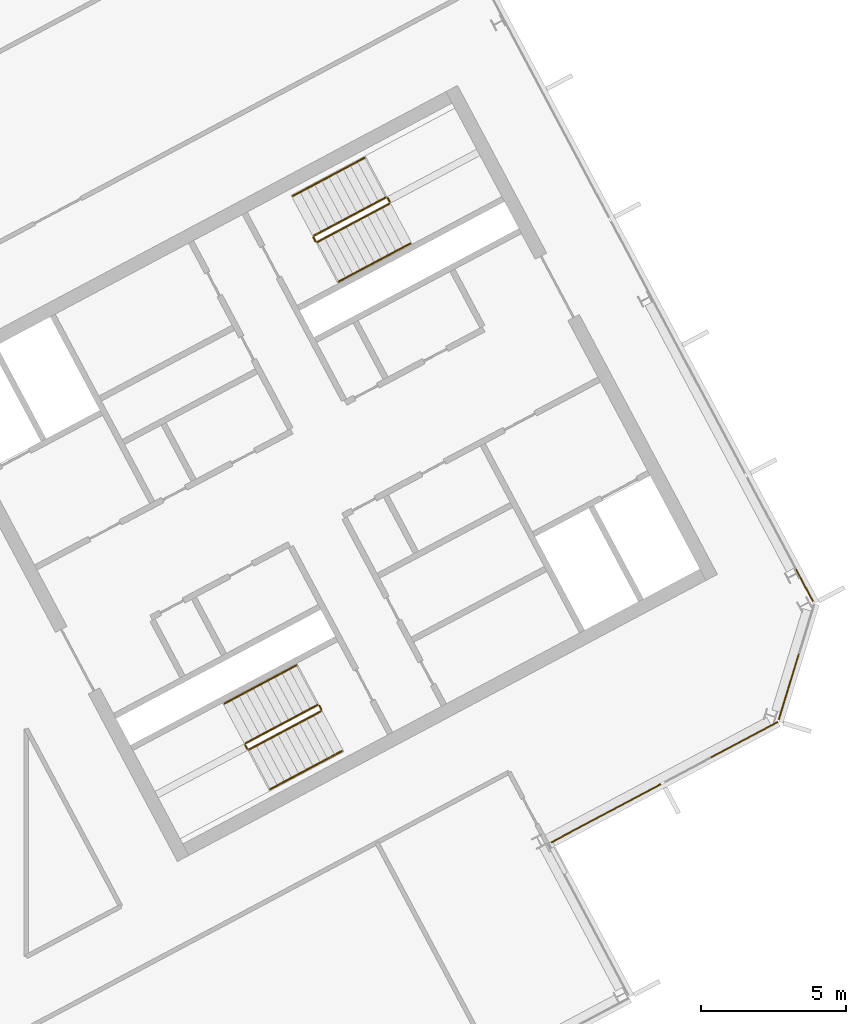
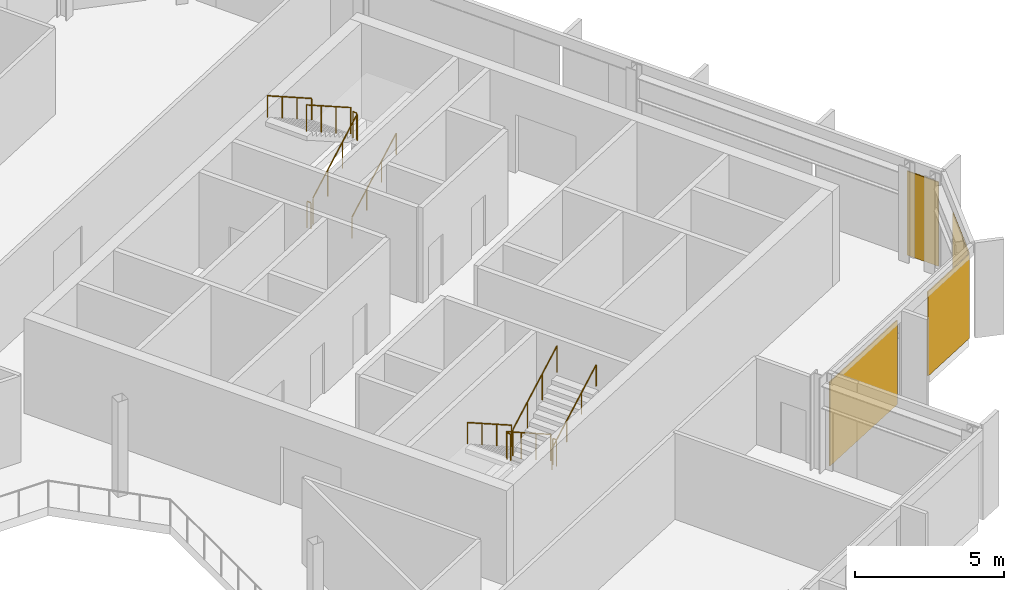
# One storey, part 24 of 25: 12 railings, 4 coverings, 3 elements without a shape of their own.
"""IFC4 building model written with IfcOpenShell, lengths in metres."""

from ifc_helpers import new_model, si_unit, direction, frame, origin, origin_2d, place, context, subcontext, project, spatial, polyline, rectangle, outline, extrude, material, layer, layer_set, type_object, element, aggregate, save


model = new_model("IFC4")

# Units and contexts
model_context = context("Model", 3, precision=1e-05, world=origin(), true_north=direction((0.0, 1.0)))
body_context = subcontext(model_context, "Body", "Model", "MODEL_VIEW")
ifc_project = project(units=[si_unit("LENGTHUNIT", "METRE"), si_unit("AREAUNIT", "SQUARE_METRE"), si_unit("VOLUMEUNIT", "CUBIC_METRE"), si_unit("PLANEANGLEUNIT", "RADIAN"), si_unit("MASSUNIT", "GRAM", prefix="KILO")], contexts=[model_context])

# Site, building, storey
site_placement = place(None, origin())
site = spatial("IfcSite", under=ifc_project, at=site_placement, CompositionType="ELEMENT")
building_placement = place(site_placement, origin())
building = spatial("IfcBuilding", under=site, at=building_placement, Name="Cormorant Relay Tower", CompositionType="ELEMENT")
storey_placement = place(building_placement, frame((0.0, 0.0, 281.39990234375)))
storey = spatial("IfcBuildingStorey", under=building, at=storey_placement, Name="L63", CompositionType="ELEMENT", Elevation=281.39990234375)

# Curtain wall, coverings
ifc_material_1 = material(Name="Aluminium 6063-T6 anodised bronze", Category="aluminium")
ifc_layer_1 = layer(ifc_material_1, 0.199951171875)
ifc_layer_set_1 = layer_set([ifc_layer_1], Name="CW1 unitised bronze curtain wall with vertical fins")
curtain_wall_type = type_object("IfcCurtainWallType", Name="CW1 unitised bronze curtain wall with vertical fins", PredefinedType="NOTDEFINED", material=ifc_layer_set_1)
curtain_wall_1_placement = place(storey_placement, origin())
curtain_wall_1 = element("IfcCurtainWall", 1, at=curtain_wall_1_placement, inside=storey, type_object=curtain_wall_type, Name="CW1 curtain wall 4", PredefinedType="NOTDEFINED")
ifc_material_2 = material(Name="Pale bronze anodised aluminium insulated panel", Category="aluminium")
ifc_layer_2 = layer(ifc_material_2, 0.0400390625)
ifc_layer_set_2 = layer_set([ifc_layer_2], Name="CW1 pale bronze insulated panel 40")
covering_type = type_object("IfcCoveringType", Name="CW1 pale bronze insulated panel 40", PredefinedType="CLADDING", material=ifc_layer_set_2)
covering_1_placement = place(storey_placement, frame((33.793701171875, 0.957275390625, 0.0), z_axis=(0.0, 0.0, 1.0), x_axis=(0.882947592859, 0.469471562786, 0.0)))
covering_1 = element("IfcCovering", 2, at=covering_1_placement, type_object=covering_type, Name="CW1 panel S00", PredefinedType="CLADDING", context=body_context, shape_type="SweptSolid", body=[
    extrude(rectangle(XDim=4.27490234375, YDim=0.0400390625, at=origin_2d()), origin(), (0.0, 0.0, 1.0), 3.449951171875),
])
covering_2_placement = place(storey_placement, frame((38.561767578125, 3.492431640625, 0.0), z_axis=(0.0, 0.0, 1.0), x_axis=(0.882947592859, 0.469471562786, 0.0)))
covering_2 = element("IfcCovering", 3, at=covering_2_placement, type_object=covering_type, Name="CW1 panel S02", PredefinedType="CLADDING", context=body_context, shape_type="SweptSolid", body=[
    extrude(rectangle(XDim=2.625, YDim=0.0400390625, at=origin_2d()), origin(), (0.0, 0.0, 1.0), 3.449951171875),
])
aggregate(curtain_wall_1, [covering_1, covering_2])

# Curtain wall, covering
curtain_wall_2_placement = place(storey_placement, origin())
curtain_wall_2 = element("IfcCurtainWall", 4, at=curtain_wall_2_placement, inside=storey, type_object=curtain_wall_type, Name="CW1 curtain wall 5", PredefinedType="NOTDEFINED")
covering_3_placement = place(storey_placement, frame((40.098388671875, 5.32421875, 0.0), z_axis=(0.0, 0.0, 1.0), x_axis=(0.292371704723, 0.956304755963, 0.0)))
covering_3 = element("IfcCovering", 5, at=covering_3_placement, type_object=covering_type, Name="CW1 panel S00", PredefinedType="CLADDING", context=body_context, shape_type="SweptSolid", body=[
    extrude(rectangle(XDim=2.36767578125, YDim=0.0400390625, at=origin_2d()), origin(), (0.0, 0.0, 1.0), 3.449951171875),
])
aggregate(curtain_wall_2, [covering_3])

curtain_wall_3_placement = place(storey_placement, origin())
curtain_wall_3 = element("IfcCurtainWall", 6, at=curtain_wall_3_placement, inside=storey, type_object=curtain_wall_type, Name="CW1 curtain wall 6", PredefinedType="NOTDEFINED")
covering_4_placement = place(storey_placement, frame((40.640625, 8.810791015625, 0.0), z_axis=(0.0, 0.0, 1.0), x_axis=(-0.469471562786, 0.882947592859, 0.0)))
covering_4 = element("IfcCovering", 7, at=covering_4_placement, type_object=covering_type, Name="CW1 panel S00", PredefinedType="CLADDING", context=body_context, shape_type="SweptSolid", body=[
    extrude(rectangle(XDim=1.25, YDim=0.0400390625, at=origin_2d()), origin(), (0.0, 0.0, 1.0), 3.449951171875),
])
aggregate(curtain_wall_3, [covering_4])

# Railings
ifc_material_3 = material(Name="Steel ASTM A572 Grade 50 (Fy 345 MPa)", Category="steel")
railing_type_1 = type_object("IfcRailingType", Name="Stair guard 1100", PredefinedType="GUARDRAIL", material=ifc_material_3)
railing_1_placement = place(storey_placement, frame((23.83837890625, 4.6904296875, 0.177490234375)))
element("IfcRailing", 8, at=railing_1_placement, inside=storey, type_object=railing_type_1, Name="L63 B1 stair guard 1", PredefinedType="GUARDRAIL", context=body_context, shape_type="SweptSolid", body=[
    extrude(outline(polyline([(0.022216796875, 0.00927734375), (0.00927734375, 0.022216796875), (-0.00927734375, 0.022216796875), (-0.022216796875, 0.00927734375), (-0.022216796875, -0.00927734375), (-0.00927734375, -0.022216796875), (0.00927734375, -0.022216796875), (0.022216796875, -0.00927734375), (0.022216796875, 0.00927734375)])), frame((0.0, 0.0, 1.076171875), z_axis=(-0.746033882577, -0.396627473466, 0.534901947407), x_axis=(0.469429322983, -0.882970050864, 0.0)), (0.0, 0.0, 1.0), 3.31396484375),
    extrude(outline(polyline([(0.019287109375, 0.008056640625), (0.008056640625, 0.019287109375), (-0.008056640625, 0.019287109375), (-0.019287109375, 0.008056640625), (-0.019287109375, -0.008056640625), (-0.008056640625, -0.019287109375), (0.008056640625, -0.019287109375), (0.019287109375, -0.008056640625), (0.019287109375, 0.008056640625)])), origin(), (0.0, 0.0, 1.0), 1.052001953125),
    extrude(outline(polyline([(0.019287109375, 0.008056640625), (0.008056640625, 0.019287109375), (-0.008056640625, 0.019287109375), (-0.019287109375, 0.008056640625), (-0.019287109375, -0.008056640625), (-0.008056640625, -0.019287109375), (0.008056640625, -0.019287109375), (0.019287109375, -0.008056640625), (0.019287109375, 0.008056640625)])), frame((-0.82421875, -0.438232421875, 0.5908203125)), (0.0, 0.0, 1.0), 1.052001953125),
    extrude(outline(polyline([(0.019287109375, 0.008056640625), (0.008056640625, 0.019287109375), (-0.008056640625, 0.019287109375), (-0.019287109375, 0.008056640625), (-0.019287109375, -0.008056640625), (-0.008056640625, -0.019287109375), (0.008056640625, -0.019287109375), (0.019287109375, -0.008056640625), (0.019287109375, 0.008056640625)])), frame((-1.648193359375, -0.876220703125, 1.181884765625)), (0.0, 0.0, 1.0), 1.052001953125),
    extrude(outline(polyline([(0.019287109375, 0.008056640625), (0.008056640625, 0.019287109375), (-0.008056640625, 0.019287109375), (-0.019287109375, 0.008056640625), (-0.019287109375, -0.008056640625), (-0.008056640625, -0.019287109375), (0.008056640625, -0.019287109375), (0.019287109375, -0.008056640625), (0.019287109375, 0.008056640625)])), frame((-2.472412109375, -1.314453125, 1.772705078125)), (0.0, 0.0, 1.0), 1.052001953125),
])
railing_2_placement = place(storey_placement, frame((21.345458984375, 3.308349609375, 1.9501953125)))
element("IfcRailing", 9, at=railing_2_placement, inside=storey, type_object=railing_type_1, Name="L63 B1 stair guard 2", PredefinedType="GUARDRAIL", context=body_context, shape_type="SweptSolid", body=[
    extrude(outline(polyline([(0.022216796875, 0.00927734375), (0.00927734375, 0.022216796875), (-0.00927734375, 0.022216796875), (-0.022216796875, 0.00927734375), (-0.022216796875, -0.00927734375), (-0.00927734375, -0.022216796875), (0.00927734375, -0.022216796875), (0.022216796875, -0.00927734375), (0.022216796875, 0.00927734375)])), frame((0.0, 0.0, 1.076171875), z_axis=(0.46856034887, -0.8834314911, 0.0), x_axis=(0.8834314911, 0.46856034887, 0.0)), (0.0, 0.0, 1.0), 0.150146484375),
    extrude(outline(polyline([(0.019287109375, 0.008056640625), (0.008056640625, 0.019287109375), (-0.008056640625, 0.019287109375), (-0.019287109375, 0.008056640625), (-0.019287109375, -0.008056640625), (-0.008056640625, -0.019287109375), (0.008056640625, -0.019287109375), (0.019287109375, -0.008056640625), (0.019287109375, 0.008056640625)])), origin(), (0.0, 0.0, 1.0), 1.052001953125),
    extrude(outline(polyline([(0.019287109375, 0.008056640625), (0.008056640625, 0.019287109375), (-0.008056640625, 0.019287109375), (-0.019287109375, 0.008056640625), (-0.019287109375, -0.008056640625), (-0.008056640625, -0.019287109375), (0.008056640625, -0.019287109375), (0.019287109375, -0.008056640625), (0.019287109375, 0.008056640625)])), frame((0.0703125, -0.132568359375, 0.0)), (0.0, 0.0, 1.0), 1.052001953125),
])
railing_3_placement = place(storey_placement, frame((21.4833984375, 3.1552734375, 2.12744140625)))
element("IfcRailing", 10, at=railing_3_placement, inside=storey, type_object=railing_type_1, Name="L63 B1 stair guard 3", PredefinedType="GUARDRAIL", context=body_context, shape_type="SweptSolid", body=[
    extrude(outline(polyline([(0.022216796875, 0.00927734375), (0.00927734375, 0.022216796875), (-0.00927734375, 0.022216796875), (-0.022216796875, 0.00927734375), (-0.022216796875, -0.00927734375), (-0.00927734375, -0.022216796875), (0.00927734375, -0.022216796875), (0.022216796875, -0.00927734375), (0.022216796875, 0.00927734375)])), frame((0.0, 0.0, 1.076171875), z_axis=(0.746001213114, 0.396649272309, 0.534931345884), x_axis=(-0.469465464807, 0.882950835185, 0.0)), (0.0, 0.0, 1.0), 3.31396484375),
    extrude(outline(polyline([(0.019287109375, 0.008056640625), (0.008056640625, 0.019287109375), (-0.008056640625, 0.019287109375), (-0.019287109375, 0.008056640625), (-0.019287109375, -0.008056640625), (-0.008056640625, -0.019287109375), (0.008056640625, -0.019287109375), (0.019287109375, -0.008056640625), (0.019287109375, 0.008056640625)])), origin(), (0.0, 0.0, 1.0), 1.052001953125),
    extrude(outline(polyline([(0.019287109375, 0.008056640625), (0.008056640625, 0.019287109375), (-0.008056640625, 0.019287109375), (-0.019287109375, 0.008056640625), (-0.019287109375, -0.008056640625), (-0.008056640625, -0.019287109375), (0.008056640625, -0.019287109375), (0.019287109375, -0.008056640625), (0.019287109375, 0.008056640625)])), frame((0.823974609375, 0.438232421875, 0.5908203125)), (0.0, 0.0, 1.0), 1.052001953125),
    extrude(outline(polyline([(0.019287109375, 0.008056640625), (0.008056640625, 0.019287109375), (-0.008056640625, 0.019287109375), (-0.019287109375, 0.008056640625), (-0.019287109375, -0.008056640625), (-0.008056640625, -0.019287109375), (0.008056640625, -0.019287109375), (0.019287109375, -0.008056640625), (0.019287109375, 0.008056640625)])), frame((1.648193359375, 0.876220703125, 1.181884765625)), (0.0, 0.0, 1.0), 1.052001953125),
    extrude(outline(polyline([(0.019287109375, 0.008056640625), (0.008056640625, 0.019287109375), (-0.008056640625, 0.019287109375), (-0.019287109375, 0.008056640625), (-0.019287109375, -0.008056640625), (-0.008056640625, -0.019287109375), (0.008056640625, -0.019287109375), (0.019287109375, -0.008056640625), (0.019287109375, 0.008056640625)])), frame((2.47216796875, 1.314453125, 1.772705078125)), (0.0, 0.0, 1.0), 1.052001953125),
])
railing_4_placement = place(storey_placement, frame((23.906005859375, 4.669677734375, 0.0)))
element("IfcRailing", 11, at=railing_4_placement, inside=storey, type_object=railing_type_1, Name="L63 B1 stair guard 4", PredefinedType="GUARDRAIL", context=body_context, shape_type="SweptSolid", body=[
    extrude(outline(polyline([(0.022216796875, 0.00927734375), (0.00927734375, 0.022216796875), (-0.00927734375, 0.022216796875), (-0.022216796875, 0.00927734375), (-0.022216796875, -0.00927734375), (-0.00927734375, -0.022216796875), (0.00927734375, -0.022216796875), (0.022216796875, -0.00927734375), (0.022216796875, 0.00927734375)])), frame((0.0, 0.0, 1.076171875), z_axis=(0.469234640946, -0.883073525669, 0.0), x_axis=(0.883073525669, 0.469234640946, 0.0)), (0.0, 0.0, 1.0), 0.14990234375),
    extrude(outline(polyline([(0.019287109375, 0.008056640625), (0.008056640625, 0.019287109375), (-0.008056640625, 0.019287109375), (-0.019287109375, 0.008056640625), (-0.019287109375, -0.008056640625), (-0.008056640625, -0.019287109375), (0.008056640625, -0.019287109375), (0.019287109375, -0.008056640625), (0.019287109375, 0.008056640625)])), origin(), (0.0, 0.0, 1.0), 1.052001953125),
    extrude(outline(polyline([(0.019287109375, 0.008056640625), (0.008056640625, 0.019287109375), (-0.008056640625, 0.019287109375), (-0.019287109375, 0.008056640625), (-0.019287109375, -0.008056640625), (-0.008056640625, -0.019287109375), (0.008056640625, -0.019287109375), (0.019287109375, -0.008056640625), (0.019287109375, 0.008056640625)])), frame((0.0703125, -0.13232421875, 0.0)), (0.0, 0.0, 1.0), 1.052001953125),
])
railing_5_placement = place(storey_placement, frame((23.8408203125, 20.6611328125, 0.177490234375)))
element("IfcRailing", 12, at=railing_5_placement, inside=storey, type_object=railing_type_1, Name="L63 B2 stair guard 1", PredefinedType="GUARDRAIL", context=body_context, shape_type="SweptSolid", body=[
    extrude(outline(polyline([(0.022216796875, 0.00927734375), (0.00927734375, 0.022216796875), (-0.00927734375, 0.022216796875), (-0.022216796875, 0.00927734375), (-0.022216796875, -0.00927734375), (-0.00927734375, -0.022216796875), (0.00927734375, -0.022216796875), (0.022216796875, -0.00927734375), (0.022216796875, 0.00927734375)])), frame((0.0, 0.0, 1.076171875), z_axis=(0.746033882577, 0.396627473466, 0.534901947407), x_axis=(-0.469429322983, 0.882970050864, 0.0)), (0.0, 0.0, 1.0), 3.31396484375),
    extrude(outline(polyline([(0.019287109375, 0.008056640625), (0.008056640625, 0.019287109375), (-0.008056640625, 0.019287109375), (-0.019287109375, 0.008056640625), (-0.019287109375, -0.008056640625), (-0.008056640625, -0.019287109375), (0.008056640625, -0.019287109375), (0.019287109375, -0.008056640625), (0.019287109375, 0.008056640625)])), origin(), (0.0, 0.0, 1.0), 1.052001953125),
    extrude(outline(polyline([(0.019287109375, 0.008056640625), (0.008056640625, 0.019287109375), (-0.008056640625, 0.019287109375), (-0.019287109375, 0.008056640625), (-0.019287109375, -0.008056640625), (-0.008056640625, -0.019287109375), (0.008056640625, -0.019287109375), (0.019287109375, -0.008056640625), (0.019287109375, 0.008056640625)])), frame((0.82421875, 0.438232421875, 0.5908203125)), (0.0, 0.0, 1.0), 1.052001953125),
    extrude(outline(polyline([(0.019287109375, 0.008056640625), (0.008056640625, 0.019287109375), (-0.008056640625, 0.019287109375), (-0.019287109375, 0.008056640625), (-0.019287109375, -0.008056640625), (-0.008056640625, -0.019287109375), (0.008056640625, -0.019287109375), (0.019287109375, -0.008056640625), (0.019287109375, 0.008056640625)])), frame((1.648193359375, 0.876220703125, 1.181884765625)), (0.0, 0.0, 1.0), 1.052001953125),
    extrude(outline(polyline([(0.019287109375, 0.008056640625), (0.008056640625, 0.019287109375), (-0.008056640625, 0.019287109375), (-0.019287109375, 0.008056640625), (-0.019287109375, -0.008056640625), (-0.008056640625, -0.019287109375), (0.008056640625, -0.019287109375), (0.019287109375, -0.008056640625), (0.019287109375, 0.008056640625)])), frame((2.472412109375, 1.314453125, 1.772705078125)), (0.0, 0.0, 1.0), 1.052001953125),
])
railing_6_placement = place(storey_placement, frame((26.333740234375, 22.043212890625, 1.9501953125)))
element("IfcRailing", 13, at=railing_6_placement, inside=storey, type_object=railing_type_1, Name="L63 B2 stair guard 2", PredefinedType="GUARDRAIL", context=body_context, shape_type="SweptSolid", body=[
    extrude(outline(polyline([(0.022216796875, 0.00927734375), (0.00927734375, 0.022216796875), (-0.00927734375, 0.022216796875), (-0.022216796875, 0.00927734375), (-0.022216796875, -0.00927734375), (-0.00927734375, -0.022216796875), (0.00927734375, -0.022216796875), (0.022216796875, -0.00927734375), (0.022216796875, 0.00927734375)])), frame((0.0, 0.0, 1.076171875), z_axis=(-0.469234640946, 0.883073525669, 0.0), x_axis=(-0.883073525669, -0.469234640946, 0.0)), (0.0, 0.0, 1.0), 0.14990234375),
    extrude(outline(polyline([(0.019287109375, 0.008056640625), (0.008056640625, 0.019287109375), (-0.008056640625, 0.019287109375), (-0.019287109375, 0.008056640625), (-0.019287109375, -0.008056640625), (-0.008056640625, -0.019287109375), (0.008056640625, -0.019287109375), (0.019287109375, -0.008056640625), (0.019287109375, 0.008056640625)])), origin(), (0.0, 0.0, 1.0), 1.052001953125),
    extrude(outline(polyline([(0.019287109375, 0.008056640625), (0.008056640625, 0.019287109375), (-0.008056640625, 0.019287109375), (-0.019287109375, 0.008056640625), (-0.019287109375, -0.008056640625), (-0.008056640625, -0.019287109375), (0.008056640625, -0.019287109375), (0.019287109375, -0.008056640625), (0.019287109375, 0.008056640625)])), frame((-0.0703125, 0.13232421875, 0.0)), (0.0, 0.0, 1.0), 1.052001953125),
])
railing_7_placement = place(storey_placement, frame((26.19580078125, 22.1962890625, 2.12744140625)))
element("IfcRailing", 14, at=railing_7_placement, inside=storey, type_object=railing_type_1, Name="L63 B2 stair guard 3", PredefinedType="GUARDRAIL", context=body_context, shape_type="SweptSolid", body=[
    extrude(outline(polyline([(0.022216796875, 0.00927734375), (0.00927734375, 0.022216796875), (-0.00927734375, 0.022216796875), (-0.022216796875, 0.00927734375), (-0.022216796875, -0.00927734375), (-0.00927734375, -0.022216796875), (0.00927734375, -0.022216796875), (0.022216796875, -0.00927734375), (0.022216796875, 0.00927734375)])), frame((0.0, 0.0, 1.076171875), z_axis=(-0.746033882577, -0.396627473466, 0.534901947407), x_axis=(0.469429322983, -0.882970050864, 0.0)), (0.0, 0.0, 1.0), 3.31396484375),
    extrude(outline(polyline([(0.019287109375, 0.008056640625), (0.008056640625, 0.019287109375), (-0.008056640625, 0.019287109375), (-0.019287109375, 0.008056640625), (-0.019287109375, -0.008056640625), (-0.008056640625, -0.019287109375), (0.008056640625, -0.019287109375), (0.019287109375, -0.008056640625), (0.019287109375, 0.008056640625)])), origin(), (0.0, 0.0, 1.0), 1.052001953125),
    extrude(outline(polyline([(0.019287109375, 0.008056640625), (0.008056640625, 0.019287109375), (-0.008056640625, 0.019287109375), (-0.019287109375, 0.008056640625), (-0.019287109375, -0.008056640625), (-0.008056640625, -0.019287109375), (0.008056640625, -0.019287109375), (0.019287109375, -0.008056640625), (0.019287109375, 0.008056640625)])), frame((-0.82421875, -0.438232421875, 0.5908203125)), (0.0, 0.0, 1.0), 1.052001953125),
    extrude(outline(polyline([(0.019287109375, 0.008056640625), (0.008056640625, 0.019287109375), (-0.008056640625, 0.019287109375), (-0.019287109375, 0.008056640625), (-0.019287109375, -0.008056640625), (-0.008056640625, -0.019287109375), (0.008056640625, -0.019287109375), (0.019287109375, -0.008056640625), (0.019287109375, 0.008056640625)])), frame((-1.648193359375, -0.876220703125, 1.181884765625)), (0.0, 0.0, 1.0), 1.052001953125),
    extrude(outline(polyline([(0.019287109375, 0.008056640625), (0.008056640625, 0.019287109375), (-0.008056640625, 0.019287109375), (-0.019287109375, 0.008056640625), (-0.019287109375, -0.008056640625), (-0.008056640625, -0.019287109375), (0.008056640625, -0.019287109375), (0.019287109375, -0.008056640625), (0.019287109375, 0.008056640625)])), frame((-2.472412109375, -1.314453125, 1.772705078125)), (0.0, 0.0, 1.0), 1.052001953125),
])
railing_8_placement = place(storey_placement, frame((23.773193359375, 20.681640625, 0.0)))
element("IfcRailing", 15, at=railing_8_placement, inside=storey, type_object=railing_type_1, Name="L63 B2 stair guard 4", PredefinedType="GUARDRAIL", context=body_context, shape_type="SweptSolid", body=[
    extrude(outline(polyline([(0.022216796875, 0.00927734375), (0.00927734375, 0.022216796875), (-0.00927734375, 0.022216796875), (-0.022216796875, 0.00927734375), (-0.022216796875, -0.00927734375), (-0.00927734375, -0.022216796875), (0.00927734375, -0.022216796875), (0.022216796875, -0.00927734375), (0.022216796875, 0.00927734375)])), frame((0.0, 0.0, 1.076171875), z_axis=(-0.46856034887, 0.8834314911, 0.0), x_axis=(-0.8834314911, -0.46856034887, 0.0)), (0.0, 0.0, 1.0), 0.150146484375),
    extrude(outline(polyline([(0.019287109375, 0.008056640625), (0.008056640625, 0.019287109375), (-0.008056640625, 0.019287109375), (-0.019287109375, 0.008056640625), (-0.019287109375, -0.008056640625), (-0.008056640625, -0.019287109375), (0.008056640625, -0.019287109375), (0.019287109375, -0.008056640625), (0.019287109375, 0.008056640625)])), origin(), (0.0, 0.0, 1.0), 1.052001953125),
    extrude(outline(polyline([(0.019287109375, 0.008056640625), (0.008056640625, 0.019287109375), (-0.008056640625, 0.019287109375), (-0.019287109375, 0.008056640625), (-0.019287109375, -0.008056640625), (-0.008056640625, -0.019287109375), (0.008056640625, -0.019287109375), (0.019287109375, -0.008056640625), (0.019287109375, 0.008056640625)])), frame((-0.0703125, 0.132568359375, 0.0)), (0.0, 0.0, 1.0), 1.052001953125),
])
ifc_material_4 = material(Name="Steel ASTM A572 Grade 50 (Fy 345 MPa)", Category="steel")
railing_type_2 = type_object("IfcRailingType", Name="Stair handrail 900", PredefinedType="HANDRAIL", material=ifc_material_4)
railing_9_placement = place(storey_placement, frame((23.110595703125, 6.05908203125, 0.177490234375)))
element("IfcRailing", 16, at=railing_9_placement, inside=storey, type_object=railing_type_2, Name="L63 B1 stair handrail 1", PredefinedType="HANDRAIL", context=body_context, shape_type="SweptSolid", body=[
    extrude(outline(polyline([(0.022216796875, 0.00927734375), (0.00927734375, 0.022216796875), (-0.00927734375, 0.022216796875), (-0.022216796875, 0.00927734375), (-0.022216796875, -0.00927734375), (-0.00927734375, -0.022216796875), (0.00927734375, -0.022216796875), (0.022216796875, -0.00927734375), (0.022216796875, 0.00927734375)])), frame((0.0, 0.0, 0.8759765625), z_axis=(-0.745979412481, -0.396711350603, 0.534915713414), x_axis=(0.469533439143, -0.882914689835, 0.0)), (0.0, 0.0, 1.0), 3.31396484375),
    extrude(outline(polyline([(0.019287109375, 0.008056640625), (0.008056640625, 0.019287109375), (-0.008056640625, 0.019287109375), (-0.019287109375, 0.008056640625), (-0.019287109375, -0.008056640625), (-0.008056640625, -0.019287109375), (0.008056640625, -0.019287109375), (0.019287109375, -0.008056640625), (0.019287109375, 0.008056640625)])), origin(), (0.0, 0.0, 1.0), 0.851806640625),
    extrude(outline(polyline([(0.019287109375, 0.008056640625), (0.008056640625, 0.019287109375), (-0.008056640625, 0.019287109375), (-0.019287109375, 0.008056640625), (-0.019287109375, -0.008056640625), (-0.008056640625, -0.019287109375), (0.008056640625, -0.019287109375), (0.019287109375, -0.008056640625), (0.019287109375, 0.008056640625)])), frame((-0.823974609375, -0.438232421875, 0.5908203125)), (0.0, 0.0, 1.0), 0.851806640625),
    extrude(outline(polyline([(0.019287109375, 0.008056640625), (0.008056640625, 0.019287109375), (-0.008056640625, 0.019287109375), (-0.019287109375, 0.008056640625), (-0.019287109375, -0.008056640625), (-0.008056640625, -0.019287109375), (0.008056640625, -0.019287109375), (0.019287109375, -0.008056640625), (0.019287109375, 0.008056640625)])), frame((-1.648193359375, -0.87646484375, 1.181884765625)), (0.0, 0.0, 1.0), 0.851806640625),
    extrude(outline(polyline([(0.019287109375, 0.008056640625), (0.008056640625, 0.019287109375), (-0.008056640625, 0.019287109375), (-0.019287109375, 0.008056640625), (-0.019287109375, -0.008056640625), (-0.008056640625, -0.019287109375), (0.008056640625, -0.019287109375), (0.019287109375, -0.008056640625), (0.019287109375, 0.008056640625)])), frame((-2.47216796875, -1.314697265625, 1.772705078125)), (0.0, 0.0, 1.0), 0.851806640625),
])
railing_10_placement = place(storey_placement, frame((22.211181640625, 1.78662109375, 2.12744140625)))
element("IfcRailing", 17, at=railing_10_placement, inside=storey, type_object=railing_type_2, Name="L63 B1 stair handrail 2", PredefinedType="HANDRAIL", context=body_context, shape_type="SweptSolid", body=[
    extrude(outline(polyline([(0.022216796875, 0.00927734375), (0.00927734375, 0.022216796875), (-0.00927734375, 0.022216796875), (-0.022216796875, 0.00927734375), (-0.022216796875, -0.00927734375), (-0.00927734375, -0.022216796875), (0.00927734375, -0.022216796875), (0.022216796875, -0.00927734375), (0.022216796875, 0.00927734375)])), frame((0.0, 0.0, 0.8759765625), z_axis=(0.746001213114, 0.396649272309, 0.534931345884), x_axis=(-0.469465464807, 0.882950835185, 0.0)), (0.0, 0.0, 1.0), 3.31396484375),
    extrude(outline(polyline([(0.019287109375, 0.008056640625), (0.008056640625, 0.019287109375), (-0.008056640625, 0.019287109375), (-0.019287109375, 0.008056640625), (-0.019287109375, -0.008056640625), (-0.008056640625, -0.019287109375), (0.008056640625, -0.019287109375), (0.019287109375, -0.008056640625), (0.019287109375, 0.008056640625)])), origin(), (0.0, 0.0, 1.0), 0.851806640625),
    extrude(outline(polyline([(0.019287109375, 0.008056640625), (0.008056640625, 0.019287109375), (-0.008056640625, 0.019287109375), (-0.019287109375, 0.008056640625), (-0.019287109375, -0.008056640625), (-0.008056640625, -0.019287109375), (0.008056640625, -0.019287109375), (0.019287109375, -0.008056640625), (0.019287109375, 0.008056640625)])), frame((0.823974609375, 0.438232421875, 0.5908203125)), (0.0, 0.0, 1.0), 0.851806640625),
    extrude(outline(polyline([(0.019287109375, 0.008056640625), (0.008056640625, 0.019287109375), (-0.008056640625, 0.019287109375), (-0.019287109375, 0.008056640625), (-0.019287109375, -0.008056640625), (-0.008056640625, -0.019287109375), (0.008056640625, -0.019287109375), (0.019287109375, -0.008056640625), (0.019287109375, 0.008056640625)])), frame((1.648193359375, 0.876220703125, 1.181884765625)), (0.0, 0.0, 1.0), 0.851806640625),
    extrude(outline(polyline([(0.019287109375, 0.008056640625), (0.008056640625, 0.019287109375), (-0.008056640625, 0.019287109375), (-0.019287109375, 0.008056640625), (-0.019287109375, -0.008056640625), (-0.008056640625, -0.019287109375), (0.008056640625, -0.019287109375), (0.019287109375, -0.008056640625), (0.019287109375, 0.008056640625)])), frame((2.47216796875, 1.314453125, 1.772705078125)), (0.0, 0.0, 1.0), 0.851806640625),
])
railing_11_placement = place(storey_placement, frame((24.568603515625, 19.29248046875, 0.177490234375)))
element("IfcRailing", 18, at=railing_11_placement, inside=storey, type_object=railing_type_2, Name="L63 B2 stair handrail 1", PredefinedType="HANDRAIL", context=body_context, shape_type="SweptSolid", body=[
    extrude(outline(polyline([(0.022216796875, 0.00927734375), (0.00927734375, 0.022216796875), (-0.00927734375, 0.022216796875), (-0.022216796875, 0.00927734375), (-0.022216796875, -0.00927734375), (-0.00927734375, -0.022216796875), (0.00927734375, -0.022216796875), (0.022216796875, -0.00927734375), (0.022216796875, 0.00927734375)])), frame((0.0, 0.0, 0.8759765625), z_axis=(0.746001213114, 0.396649272309, 0.534931345884), x_axis=(-0.469465464807, 0.882950835185, 0.0)), (0.0, 0.0, 1.0), 3.31396484375),
    extrude(outline(polyline([(0.019287109375, 0.008056640625), (0.008056640625, 0.019287109375), (-0.008056640625, 0.019287109375), (-0.019287109375, 0.008056640625), (-0.019287109375, -0.008056640625), (-0.008056640625, -0.019287109375), (0.008056640625, -0.019287109375), (0.019287109375, -0.008056640625), (0.019287109375, 0.008056640625)])), origin(), (0.0, 0.0, 1.0), 0.851806640625),
    extrude(outline(polyline([(0.019287109375, 0.008056640625), (0.008056640625, 0.019287109375), (-0.008056640625, 0.019287109375), (-0.019287109375, 0.008056640625), (-0.019287109375, -0.008056640625), (-0.008056640625, -0.019287109375), (0.008056640625, -0.019287109375), (0.019287109375, -0.008056640625), (0.019287109375, 0.008056640625)])), frame((0.823974609375, 0.438232421875, 0.5908203125)), (0.0, 0.0, 1.0), 0.851806640625),
    extrude(outline(polyline([(0.019287109375, 0.008056640625), (0.008056640625, 0.019287109375), (-0.008056640625, 0.019287109375), (-0.019287109375, 0.008056640625), (-0.019287109375, -0.008056640625), (-0.008056640625, -0.019287109375), (0.008056640625, -0.019287109375), (0.019287109375, -0.008056640625), (0.019287109375, 0.008056640625)])), frame((1.648193359375, 0.876220703125, 1.181884765625)), (0.0, 0.0, 1.0), 0.851806640625),
    extrude(outline(polyline([(0.019287109375, 0.008056640625), (0.008056640625, 0.019287109375), (-0.008056640625, 0.019287109375), (-0.019287109375, 0.008056640625), (-0.019287109375, -0.008056640625), (-0.008056640625, -0.019287109375), (0.008056640625, -0.019287109375), (0.019287109375, -0.008056640625), (0.019287109375, 0.008056640625)])), frame((2.47216796875, 1.314453125, 1.772705078125)), (0.0, 0.0, 1.0), 0.851806640625),
])
railing_12_placement = place(storey_placement, frame((25.468017578125, 23.56494140625, 2.12744140625)))
element("IfcRailing", 19, at=railing_12_placement, inside=storey, type_object=railing_type_2, Name="L63 B2 stair handrail 2", PredefinedType="HANDRAIL", context=body_context, shape_type="SweptSolid", body=[
    extrude(outline(polyline([(0.022216796875, 0.00927734375), (0.00927734375, 0.022216796875), (-0.00927734375, 0.022216796875), (-0.022216796875, 0.00927734375), (-0.022216796875, -0.00927734375), (-0.00927734375, -0.022216796875), (0.00927734375, -0.022216796875), (0.022216796875, -0.00927734375), (0.022216796875, 0.00927734375)])), frame((0.0, 0.0, 0.8759765625), z_axis=(-0.745979412481, -0.396711350603, 0.534915713414), x_axis=(0.469533439143, -0.882914689835, 0.0)), (0.0, 0.0, 1.0), 3.31396484375),
    extrude(outline(polyline([(0.019287109375, 0.008056640625), (0.008056640625, 0.019287109375), (-0.008056640625, 0.019287109375), (-0.019287109375, 0.008056640625), (-0.019287109375, -0.008056640625), (-0.008056640625, -0.019287109375), (0.008056640625, -0.019287109375), (0.019287109375, -0.008056640625), (0.019287109375, 0.008056640625)])), origin(), (0.0, 0.0, 1.0), 0.851806640625),
    extrude(outline(polyline([(0.019287109375, 0.008056640625), (0.008056640625, 0.019287109375), (-0.008056640625, 0.019287109375), (-0.019287109375, 0.008056640625), (-0.019287109375, -0.008056640625), (-0.008056640625, -0.019287109375), (0.008056640625, -0.019287109375), (0.019287109375, -0.008056640625), (0.019287109375, 0.008056640625)])), frame((-0.823974609375, -0.438232421875, 0.5908203125)), (0.0, 0.0, 1.0), 0.851806640625),
    extrude(outline(polyline([(0.019287109375, 0.008056640625), (0.008056640625, 0.019287109375), (-0.008056640625, 0.019287109375), (-0.019287109375, 0.008056640625), (-0.019287109375, -0.008056640625), (-0.008056640625, -0.019287109375), (0.008056640625, -0.019287109375), (0.019287109375, -0.008056640625), (0.019287109375, 0.008056640625)])), frame((-1.648193359375, -0.87646484375, 1.181884765625)), (0.0, 0.0, 1.0), 0.851806640625),
    extrude(outline(polyline([(0.019287109375, 0.008056640625), (0.008056640625, 0.019287109375), (-0.008056640625, 0.019287109375), (-0.019287109375, 0.008056640625), (-0.019287109375, -0.008056640625), (-0.008056640625, -0.019287109375), (0.008056640625, -0.019287109375), (0.019287109375, -0.008056640625), (0.019287109375, 0.008056640625)])), frame((-2.47216796875, -1.314697265625, 1.772705078125)), (0.0, 0.0, 1.0), 0.851806640625),
])

save(model, "model.ifc")
